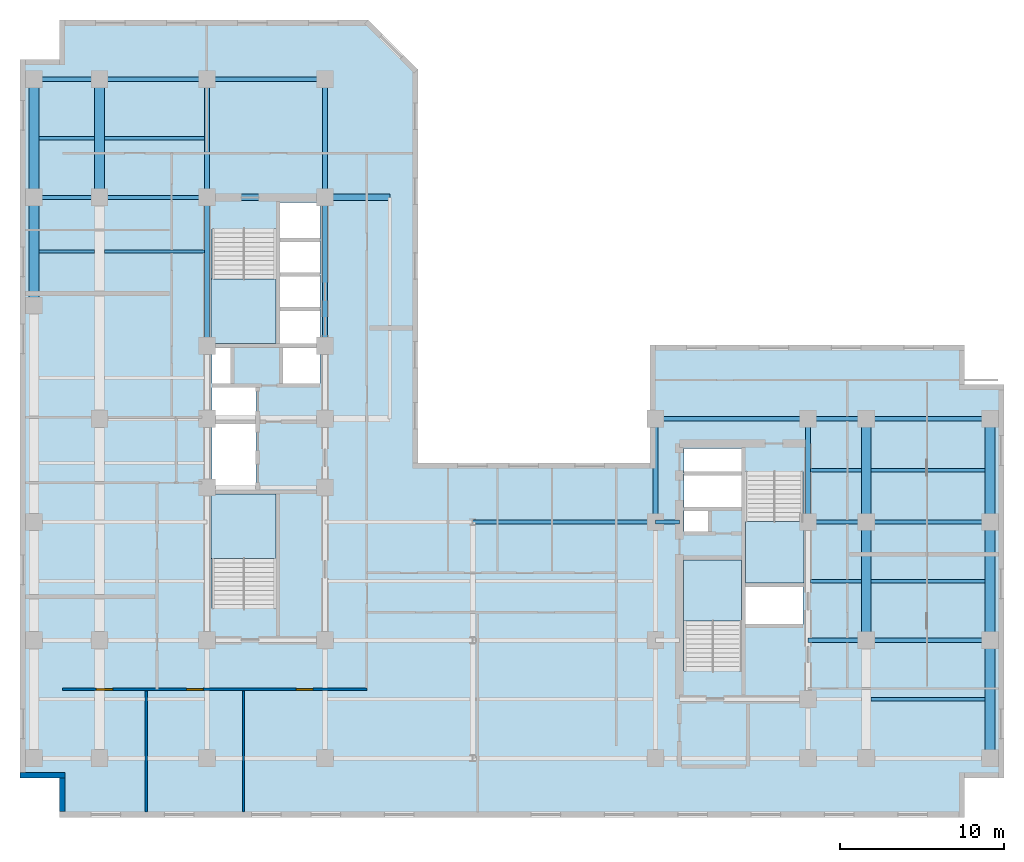
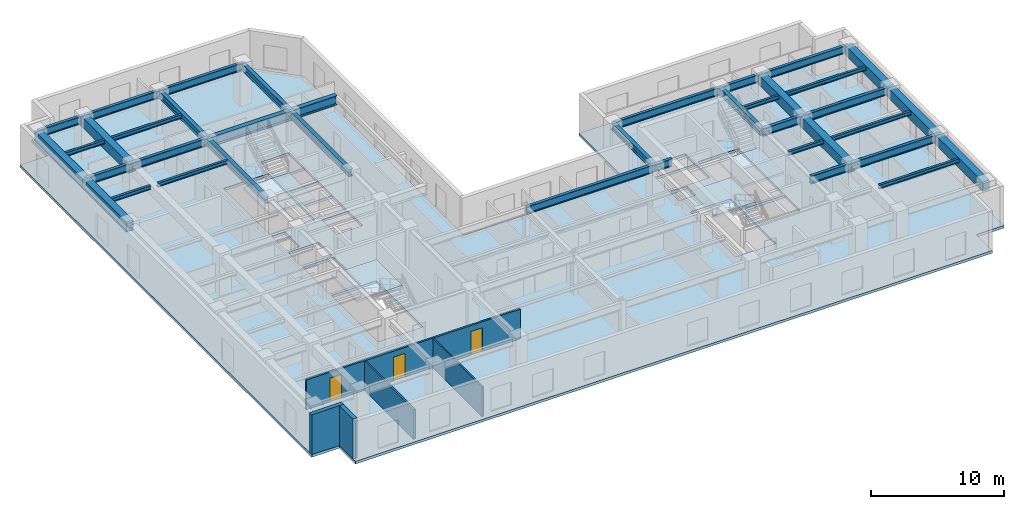
# One storey, part 2 of 10: 38 beams, 5 slabs, 5 walls, 3 doors, 3 openings, 4 elements without a shape of their own.
"""IFC4 building model written with IfcOpenShell, lengths in metres."""

from ifc_helpers import new_model, entity, si_unit, converted_unit, direction, frame, origin_with_axes, origin_2d_with_axis, place, context, subcontext, project, spatial, polyline, rectangle, i_section, outline, extrude, material, layer, layer_set, material_profile, profile_set, type_object, element, fill, aggregate, save


model = new_model("IFC4")

# Units and contexts
model_context = context("Model", 3, precision=1e-05, world=origin_with_axes(), true_north=direction((0.0, 1.0)))
body_context = subcontext(model_context, "Body", "Model", "MODEL_VIEW")
ifc_project = project(units=[si_unit("LENGTHUNIT", "METRE"), si_unit("AREAUNIT", "SQUARE_METRE"), si_unit("VOLUMEUNIT", "CUBIC_METRE"), converted_unit("PLANEANGLEUNIT", "DEGREE", entity("IfcPlaneAngleMeasure", 0.017453292519943295), si_unit("PLANEANGLEUNIT", "RADIAN"), dimensions=[0, 0, 0, 0, 0, 0, 0]), si_unit("MASSUNIT", "GRAM", prefix="KILO"), si_unit("THERMODYNAMICTEMPERATUREUNIT", "KELVIN")], contexts=[model_context])

# Site, building, storey
site_placement = place(None, origin_with_axes())
site = spatial("IfcSite", under=ifc_project, at=site_placement, CompositionType="ELEMENT")
building_placement = place(site_placement, origin_with_axes())
building = spatial("IfcBuilding", under=site, at=building_placement, Name="Varnlund Millrace Tower", CompositionType="ELEMENT")
storey_placement = place(building_placement, frame((0.0, 0.0, 168.0), z_axis=(0.0, 0.0, 1.0), x_axis=(1.0, 0.0, 0.0)))
storey = spatial("IfcBuildingStorey", under=building, at=storey_placement, Name="L41", CompositionType="ELEMENT", Elevation=168.0)

# Beams
ifc_material_1 = material(Name="Steel ASTM A992 Grade 50", Category="steel")
ifc_material_profile_1 = material_profile(ifc_material_1, i_section(OverallWidth=0.328, OverallDepth=0.628, WebThickness=0.0165, FlangeThickness=0.0277, FilletRadius=0.018, at=origin_2d_with_axis()), Name="Steel ASTM A992 Grade 50")
ifc_profile_set_1 = profile_set([ifc_material_profile_1], Name="Steel ASTM A992 Grade 50")
beam_type_1 = type_object("IfcBeamType", Name="Type-Girder-W24X146", PredefinedType="USERDEFINED", material=ifc_profile_set_1)
beam_1_placement = place(storey_placement, frame((11.4, 28.75, 3.346), z_axis=(0.0, 1.0, 0.0), x_axis=(-1.0, 0.0, 0.0)))
element("IfcBeam", 1, at=beam_1_placement, inside=storey, type_object=beam_type_1, Name="Type-Girder-W24X146", ObjectType="GIRDER", PredefinedType="USERDEFINED", context=body_context, shape_type="SweptSolid", body=[
    extrude(i_section(OverallWidth=0.328, OverallDepth=0.628, WebThickness=0.0165, FlangeThickness=0.0277, FilletRadius=0.018, at=origin_2d_with_axis()), origin_with_axes(), (0.0, 0.0, 1.0), 9.05),
])
beam_2_placement = place(storey_placement, frame((11.4, 37.8, 3.346), z_axis=(0.0, 1.0, 0.0), x_axis=(-1.0, 0.0, 0.0)))
element("IfcBeam", 2, at=beam_2_placement, inside=storey, type_object=beam_type_1, Name="Type-Girder-W24X146", ObjectType="GIRDER", PredefinedType="USERDEFINED", context=body_context, shape_type="SweptSolid", body=[
    extrude(i_section(OverallWidth=0.328, OverallDepth=0.628, WebThickness=0.0165, FlangeThickness=0.0277, FilletRadius=0.018, at=origin_2d_with_axis()), origin_with_axes(), (0.0, 0.0, 1.0), 7.2),
])
beam_3_placement = place(storey_placement, frame((18.6, 28.75, 3.346), z_axis=(0.0, 1.0, 0.0), x_axis=(-1.0, 0.0, 0.0)))
element("IfcBeam", 3, at=beam_3_placement, inside=storey, type_object=beam_type_1, Name="Type-Girder-W24X146", ObjectType="GIRDER", PredefinedType="USERDEFINED", context=body_context, shape_type="SweptSolid", body=[
    extrude(i_section(OverallWidth=0.328, OverallDepth=0.628, WebThickness=0.0165, FlangeThickness=0.0277, FilletRadius=0.018, at=origin_2d_with_axis()), origin_with_axes(), (0.0, 0.0, 1.0), 9.05),
])
beam_4_placement = place(storey_placement, frame((18.6, 37.8, 3.346), z_axis=(0.0, 1.0, 0.0), x_axis=(-1.0, 0.0, 0.0)))
element("IfcBeam", 4, at=beam_4_placement, inside=storey, type_object=beam_type_1, Name="Type-Girder-W24X146", ObjectType="GIRDER", PredefinedType="USERDEFINED", context=body_context, shape_type="SweptSolid", body=[
    extrude(i_section(OverallWidth=0.328, OverallDepth=0.628, WebThickness=0.0165, FlangeThickness=0.0277, FilletRadius=0.018, at=origin_2d_with_axis()), origin_with_axes(), (0.0, 0.0, 1.0), 7.2),
])
for number, where, z_axis, x_axis, name in (
    (5, (38.75, 18.0, 3.346), (0.0, 1.0, 0.0), (-1.0, 0.0, 0.0), "Type-Girder-W24X146"),
    (6, (48.05, 18.0, 3.346), (0.0, 1.0, 0.0), (-1.0, 0.0, 0.0), "Type-Girder-W24X146"),
):
    element("IfcBeam", number, at=place(storey_placement, frame(where, z_axis=z_axis, x_axis=x_axis)), inside=storey, type_object=beam_type_1, Name=name, ObjectType="GIRDER", PredefinedType="USERDEFINED", context=body_context, shape_type="SweptSolid", body=[
        extrude(i_section(OverallWidth=0.328, OverallDepth=0.628, WebThickness=0.0165, FlangeThickness=0.0277, FilletRadius=0.018, at=origin_2d_with_axis()), origin_with_axes(), (0.0, 0.0, 1.0), 6.3),
    ])
ifc_material_profile_2 = material_profile(ifc_material_1, i_section(OverallWidth=0.256, OverallDepth=0.693, WebThickness=0.0145, FlangeThickness=0.0236, FilletRadius=0.018, at=origin_2d_with_axis()), Name="Steel ASTM A992 Grade 50")
ifc_profile_set_2 = profile_set([ifc_material_profile_2], Name="Steel ASTM A992 Grade 50")
beam_type_2 = type_object("IfcBeamType", Name="Type-Girder-W27X114", PredefinedType="USERDEFINED", material=ifc_profile_set_2)
beam_5_placement = place(storey_placement, frame((48.05, 10.8, 3.3135), z_axis=(1.0, 0.0, 0.0), x_axis=(0.0, 1.0, 0.0)))
element("IfcBeam", 7, at=beam_5_placement, inside=storey, type_object=beam_type_2, Name="Type-Girder-W27X114", ObjectType="GIRDER", PredefinedType="USERDEFINED", context=body_context, shape_type="SweptSolid", body=[
    extrude(i_section(OverallWidth=0.256, OverallDepth=0.693, WebThickness=0.0145, FlangeThickness=0.0236, FilletRadius=0.018, at=origin_2d_with_axis()), origin_with_axes(), (0.0, 0.0, 1.0), 3.55),
])
beam_6_placement = place(storey_placement, frame((51.6, 10.8, 3.3135), z_axis=(1.0, 0.0, 0.0), x_axis=(0.0, 1.0, 0.0)))
element("IfcBeam", 8, at=beam_6_placement, inside=storey, type_object=beam_type_2, Name="Type-Girder-W27X114", ObjectType="GIRDER", PredefinedType="USERDEFINED", context=body_context, shape_type="SweptSolid", body=[
    extrude(i_section(OverallWidth=0.256, OverallDepth=0.693, WebThickness=0.0145, FlangeThickness=0.0236, FilletRadius=0.018, at=origin_2d_with_axis()), origin_with_axes(), (0.0, 0.0, 1.0), 7.55),
])
beam_7_placement = place(storey_placement, frame((27.6, 18.0, 3.3135), z_axis=(1.0, 0.0, 0.0), x_axis=(0.0, 1.0, 0.0)))
element("IfcBeam", 9, at=beam_7_placement, inside=storey, type_object=beam_type_2, Name="Type-Girder-W27X114", ObjectType="GIRDER", PredefinedType="USERDEFINED", context=body_context, shape_type="SweptSolid", body=[
    extrude(i_section(OverallWidth=0.256, OverallDepth=0.693, WebThickness=0.0145, FlangeThickness=0.0236, FilletRadius=0.018, at=origin_2d_with_axis()), origin_with_axes(), (0.0, 0.0, 1.0), 11.15),
])
beam_8_placement = place(storey_placement, frame((38.75, 18.0, 3.3135), z_axis=(1.0, 0.0, 0.0), x_axis=(0.0, 1.0, 0.0)))
element("IfcBeam", 10, at=beam_8_placement, inside=storey, type_object=beam_type_2, Name="Type-Girder-W27X114", ObjectType="GIRDER", PredefinedType="USERDEFINED", context=body_context, shape_type="SweptSolid", body=[
    extrude(i_section(OverallWidth=0.256, OverallDepth=0.693, WebThickness=0.0145, FlangeThickness=0.0236, FilletRadius=0.018, at=origin_2d_with_axis()), origin_with_axes(), (0.0, 0.0, 1.0), 1.45),
])
beam_9_placement = place(storey_placement, frame((48.05, 18.0, 3.3135), z_axis=(1.0, 0.0, 0.0), x_axis=(0.0, 1.0, 0.0)))
element("IfcBeam", 11, at=beam_9_placement, inside=storey, type_object=beam_type_2, Name="Type-Girder-W27X114", ObjectType="GIRDER", PredefinedType="USERDEFINED", context=body_context, shape_type="SweptSolid", body=[
    extrude(i_section(OverallWidth=0.256, OverallDepth=0.693, WebThickness=0.0145, FlangeThickness=0.0236, FilletRadius=0.018, at=origin_2d_with_axis()), origin_with_axes(), (0.0, 0.0, 1.0), 3.55),
])
beam_10_placement = place(storey_placement, frame((51.6, 18.0, 3.3135), z_axis=(1.0, 0.0, 0.0), x_axis=(0.0, 1.0, 0.0)))
element("IfcBeam", 12, at=beam_10_placement, inside=storey, type_object=beam_type_2, Name="Type-Girder-W27X114", ObjectType="GIRDER", PredefinedType="USERDEFINED", context=body_context, shape_type="SweptSolid", body=[
    extrude(i_section(OverallWidth=0.256, OverallDepth=0.693, WebThickness=0.0145, FlangeThickness=0.0236, FilletRadius=0.018, at=origin_2d_with_axis()), origin_with_axes(), (0.0, 0.0, 1.0), 7.55),
])
beam_11_placement = place(storey_placement, frame((38.75, 24.3, 3.3135), z_axis=(1.0, 0.0, 0.0), x_axis=(0.0, 1.0, 0.0)))
element("IfcBeam", 13, at=beam_11_placement, inside=storey, type_object=beam_type_2, Name="Type-Girder-W27X114", ObjectType="GIRDER", PredefinedType="USERDEFINED", context=body_context, shape_type="SweptSolid", body=[
    extrude(i_section(OverallWidth=0.256, OverallDepth=0.693, WebThickness=0.0145, FlangeThickness=0.0236, FilletRadius=0.018, at=origin_2d_with_axis()), origin_with_axes(), (0.0, 0.0, 1.0), 9.3),
])
beam_12_placement = place(storey_placement, frame((48.05, 24.3, 3.3135), z_axis=(1.0, 0.0, 0.0), x_axis=(0.0, 1.0, 0.0)))
element("IfcBeam", 14, at=beam_12_placement, inside=storey, type_object=beam_type_2, Name="Type-Girder-W27X114", ObjectType="GIRDER", PredefinedType="USERDEFINED", context=body_context, shape_type="SweptSolid", body=[
    extrude(i_section(OverallWidth=0.256, OverallDepth=0.693, WebThickness=0.0145, FlangeThickness=0.0236, FilletRadius=0.018, at=origin_2d_with_axis()), origin_with_axes(), (0.0, 0.0, 1.0), 3.55),
])
beam_13_placement = place(storey_placement, frame((51.6, 24.3, 3.3135), z_axis=(1.0, 0.0, 0.0), x_axis=(0.0, 1.0, 0.0)))
element("IfcBeam", 15, at=beam_13_placement, inside=storey, type_object=beam_type_2, Name="Type-Girder-W27X114", ObjectType="GIRDER", PredefinedType="USERDEFINED", context=body_context, shape_type="SweptSolid", body=[
    extrude(i_section(OverallWidth=0.256, OverallDepth=0.693, WebThickness=0.0145, FlangeThickness=0.0236, FilletRadius=0.018, at=origin_2d_with_axis()), origin_with_axes(), (0.0, 0.0, 1.0), 7.55),
])
beam_14_placement = place(storey_placement, frame((0.85, 37.8, 3.3135), z_axis=(1.0, 0.0, 0.0), x_axis=(0.0, 1.0, 0.0)))
element("IfcBeam", 16, at=beam_14_placement, inside=storey, type_object=beam_type_2, Name="Type-Girder-W27X114", ObjectType="GIRDER", PredefinedType="USERDEFINED", context=body_context, shape_type="SweptSolid", body=[
    extrude(i_section(OverallWidth=0.256, OverallDepth=0.693, WebThickness=0.0145, FlangeThickness=0.0236, FilletRadius=0.018, at=origin_2d_with_axis()), origin_with_axes(), (0.0, 0.0, 1.0), 4.0),
])
beam_15_placement = place(storey_placement, frame((4.85, 37.8, 3.3135), z_axis=(1.0, 0.0, 0.0), x_axis=(0.0, 1.0, 0.0)))
element("IfcBeam", 17, at=beam_15_placement, inside=storey, type_object=beam_type_2, Name="Type-Girder-W27X114", ObjectType="GIRDER", PredefinedType="USERDEFINED", context=body_context, shape_type="SweptSolid", body=[
    extrude(i_section(OverallWidth=0.256, OverallDepth=0.693, WebThickness=0.0145, FlangeThickness=0.0236, FilletRadius=0.018, at=origin_2d_with_axis()), origin_with_axes(), (0.0, 0.0, 1.0), 6.55),
])
beam_16_placement = place(storey_placement, frame((0.85, 45.0, 3.3135), z_axis=(1.0, 0.0, 0.0), x_axis=(0.0, 1.0, 0.0)))
element("IfcBeam", 18, at=beam_16_placement, inside=storey, type_object=beam_type_2, Name="Type-Girder-W27X114", ObjectType="GIRDER", PredefinedType="USERDEFINED", context=body_context, shape_type="SweptSolid", body=[
    extrude(i_section(OverallWidth=0.256, OverallDepth=0.693, WebThickness=0.0145, FlangeThickness=0.0236, FilletRadius=0.018, at=origin_2d_with_axis()), origin_with_axes(), (0.0, 0.0, 1.0), 4.0),
])
beam_17_placement = place(storey_placement, frame((4.85, 45.0, 3.3135), z_axis=(1.0, 0.0, 0.0), x_axis=(0.0, 1.0, 0.0)))
element("IfcBeam", 19, at=beam_17_placement, inside=storey, type_object=beam_type_2, Name="Type-Girder-W27X114", ObjectType="GIRDER", PredefinedType="USERDEFINED", context=body_context, shape_type="SweptSolid", body=[
    extrude(i_section(OverallWidth=0.256, OverallDepth=0.693, WebThickness=0.0145, FlangeThickness=0.0236, FilletRadius=0.018, at=origin_2d_with_axis()), origin_with_axes(), (0.0, 0.0, 1.0), 6.55),
])
beam_18_placement = place(storey_placement, frame((11.4, 45.0, 3.3135), z_axis=(1.0, 0.0, 0.0), x_axis=(0.0, 1.0, 0.0)))
element("IfcBeam", 20, at=beam_18_placement, inside=storey, type_object=beam_type_2, Name="Type-Girder-W27X114", ObjectType="GIRDER", PredefinedType="USERDEFINED", context=body_context, shape_type="SweptSolid", body=[
    extrude(i_section(OverallWidth=0.256, OverallDepth=0.693, WebThickness=0.0145, FlangeThickness=0.0236, FilletRadius=0.018, at=origin_2d_with_axis()), origin_with_axes(), (0.0, 0.0, 1.0), 7.2),
])
ifc_material_profile_3 = material_profile(ifc_material_1, i_section(OverallWidth=0.399, OverallDepth=0.855, WebThickness=0.0182, FlangeThickness=0.0292, FilletRadius=0.022, at=origin_2d_with_axis()), Name="Steel ASTM A992 Grade 50")
ifc_profile_set_3 = profile_set([ifc_material_profile_3], Name="Steel ASTM A992 Grade 50")
beam_type_3 = type_object("IfcBeamType", Name="Type-Girder-W33X201", PredefinedType="USERDEFINED", material=ifc_profile_set_3)
beam_19_placement = place(storey_placement, frame((11.4, 37.8, 3.2325), z_axis=(1.0, 0.0, 0.0), x_axis=(0.0, 1.0, 0.0)))
element("IfcBeam", 21, at=beam_19_placement, inside=storey, type_object=beam_type_3, Name="Type-Girder-W33X201", ObjectType="GIRDER", PredefinedType="USERDEFINED", context=body_context, shape_type="SweptSolid", body=[
    extrude(i_section(OverallWidth=0.399, OverallDepth=0.855, WebThickness=0.0182, FlangeThickness=0.0292, FilletRadius=0.022, at=origin_2d_with_axis()), origin_with_axes(), (0.0, 0.0, 1.0), 11.15),
])
ifc_material_profile_4 = material_profile(ifc_material_1, i_section(OverallWidth=0.204, OverallDepth=0.35, WebThickness=0.0086, FlangeThickness=0.0151, FilletRadius=0.013, at=origin_2d_with_axis()), Name="Steel ASTM A992 Grade 50")
ifc_profile_set_4 = profile_set([ifc_material_profile_4], Name="Steel ASTM A992 Grade 50")
beam_type_4 = type_object("IfcBeamType", Name="Type-Joist-W14X48", PredefinedType="JOIST", material=ifc_profile_set_4)
for number, where, z_axis, x_axis, name in (
    (22, (1.15, 34.5, 3.485), (1.0, 0.0, 0.0), (0.0, 1.0, 0.0), "Type-Joist-W14X48"),
    (23, (1.15, 41.4, 3.485), (1.0, 0.0, 0.0), (0.0, 1.0, 0.0), "Type-Joist-W14X48"),
):
    element("IfcBeam", number, at=place(storey_placement, frame(where, z_axis=z_axis, x_axis=x_axis)), inside=storey, type_object=beam_type_4, Name=name, PredefinedType="JOIST", context=body_context, shape_type="SweptSolid", body=[
        extrude(i_section(OverallWidth=0.204, OverallDepth=0.35, WebThickness=0.0086, FlangeThickness=0.0151, FilletRadius=0.013, at=origin_2d_with_axis()), origin_with_axes(), (0.0, 0.0, 1.0), 3.4),
    ])
for number, where, z_axis, x_axis, name in (
    (24, (5.15, 34.5, 3.485), (1.0, 0.0, 0.0), (0.0, 1.0, 0.0), "Type-Joist-W14X48"),
    (25, (5.15, 41.4, 3.485), (1.0, 0.0, 0.0), (0.0, 1.0, 0.0), "Type-Joist-W14X48"),
):
    element("IfcBeam", number, at=place(storey_placement, frame(where, z_axis=z_axis, x_axis=x_axis)), inside=storey, type_object=beam_type_4, Name=name, PredefinedType="JOIST", context=body_context, shape_type="SweptSolid", body=[
        extrude(i_section(OverallWidth=0.204, OverallDepth=0.35, WebThickness=0.0086, FlangeThickness=0.0151, FilletRadius=0.013, at=origin_2d_with_axis()), origin_with_axes(), (0.0, 0.0, 1.0), 6.086),
    ])
for number, where, z_axis, x_axis, name in (
    (26, (48.214, 14.4, 3.485), (1.0, 0.0, 0.0), (0.0, 1.0, 0.0), "Type-Joist-W14X48"),
    (27, (48.214, 21.15, 3.485), (1.0, 0.0, 0.0), (0.0, 1.0, 0.0), "Type-Joist-W14X48"),
):
    element("IfcBeam", number, at=place(storey_placement, frame(where, z_axis=z_axis, x_axis=x_axis)), inside=storey, type_object=beam_type_4, Name=name, PredefinedType="JOIST", context=body_context, shape_type="SweptSolid", body=[
        extrude(i_section(OverallWidth=0.204, OverallDepth=0.35, WebThickness=0.0086, FlangeThickness=0.0151, FilletRadius=0.013, at=origin_2d_with_axis()), origin_with_axes(), (0.0, 0.0, 1.0), 3.086),
    ])
for number, where, z_axis, x_axis, name in (
    (28, (51.9, 7.2, 3.485), (1.0, 0.0, 0.0), (0.0, 1.0, 0.0), "Type-Joist-W14X48"),
    (29, (51.9, 14.4, 3.485), (1.0, 0.0, 0.0), (0.0, 1.0, 0.0), "Type-Joist-W14X48"),
    (30, (51.9, 21.15, 3.485), (1.0, 0.0, 0.0), (0.0, 1.0, 0.0), "Type-Joist-W14X48"),
):
    element("IfcBeam", number, at=place(storey_placement, frame(where, z_axis=z_axis, x_axis=x_axis)), inside=storey, type_object=beam_type_4, Name=name, PredefinedType="JOIST", context=body_context, shape_type="SweptSolid", body=[
        extrude(i_section(OverallWidth=0.204, OverallDepth=0.35, WebThickness=0.0086, FlangeThickness=0.0151, FilletRadius=0.013, at=origin_2d_with_axis()), origin_with_axes(), (0.0, 0.0, 1.0), 6.95),
    ])
ifc_material_2 = material(Name="Concrete C70/85", Category="concrete")
ifc_material_profile_5 = material_profile(ifc_material_2, rectangle(XDim=0.6, YDim=0.9, at=origin_2d_with_axis()), Name="Concrete C70/85")
ifc_profile_set_5 = profile_set([ifc_material_profile_5], Name="Concrete C70/85")
beam_type_5 = type_object("IfcBeamType", Name="Type-Spandrel-RC600X900", PredefinedType="SPANDREL", material=ifc_profile_set_5)
beam_20_placement = place(storey_placement, frame((0.85, 31.2, 3.21), z_axis=(0.0, 1.0, 0.0), x_axis=(-1.0, 0.0, 0.0)))
element("IfcBeam", 31, at=beam_20_placement, inside=storey, type_object=beam_type_5, Name="Type-Spandrel-RC600X900", PredefinedType="SPANDREL", context=body_context, shape_type="SweptSolid", body=[
    extrude(rectangle(XDim=0.6, YDim=0.9, at=origin_2d_with_axis()), origin_with_axes(), (0.0, 0.0, 1.0), 6.6),
])
for number, where, z_axis, x_axis, name in (
    (32, (0.85, 37.8, 3.21), (0.0, 1.0, 0.0), (-1.0, 0.0, 0.0), "Type-Spandrel-RC600X900"),
    (33, (4.85, 37.8, 3.21), (0.0, 1.0, 0.0), (-1.0, 0.0, 0.0), "Type-Spandrel-RC600X900"),
    (34, (51.6, 10.8, 3.21), (0.0, 1.0, 0.0), (-1.0, 0.0, 0.0), "Type-Spandrel-RC600X900"),
):
    element("IfcBeam", number, at=place(storey_placement, frame(where, z_axis=z_axis, x_axis=x_axis)), inside=storey, type_object=beam_type_5, Name=name, PredefinedType="SPANDREL", context=body_context, shape_type="SweptSolid", body=[
        extrude(rectangle(XDim=0.6, YDim=0.9, at=origin_2d_with_axis()), origin_with_axes(), (0.0, 0.0, 1.0), 7.2),
    ])
beam_21_placement = place(storey_placement, frame((51.6, 18.0, 3.21), z_axis=(0.0, 1.0, 0.0), x_axis=(-1.0, 0.0, 0.0)))
element("IfcBeam", 35, at=beam_21_placement, inside=storey, type_object=beam_type_5, Name="Type-Spandrel-RC600X900", PredefinedType="SPANDREL", context=body_context, shape_type="SweptSolid", body=[
    extrude(rectangle(XDim=0.6, YDim=0.9, at=origin_2d_with_axis()), origin_with_axes(), (0.0, 0.0, 1.0), 6.3),
])
for number, where, z_axis, x_axis, name in (
    (36, (59.15, 3.6, 3.21), (0.0, 1.0, 0.0), (-1.0, 0.0, 0.0), "Type-Spandrel-RC600X900"),
    (37, (59.15, 10.8, 3.21), (0.0, 1.0, 0.0), (-1.0, 0.0, 0.0), "Type-Spandrel-RC600X900"),
):
    element("IfcBeam", number, at=place(storey_placement, frame(where, z_axis=z_axis, x_axis=x_axis)), inside=storey, type_object=beam_type_5, Name=name, PredefinedType="SPANDREL", context=body_context, shape_type="SweptSolid", body=[
        extrude(rectangle(XDim=0.6, YDim=0.9, at=origin_2d_with_axis()), origin_with_axes(), (0.0, 0.0, 1.0), 7.2),
    ])
beam_22_placement = place(storey_placement, frame((59.15, 18.0, 3.21), z_axis=(0.0, 1.0, 0.0), x_axis=(-1.0, 0.0, 0.0)))
element("IfcBeam", 38, at=beam_22_placement, inside=storey, type_object=beam_type_5, Name="Type-Spandrel-RC600X900", PredefinedType="SPANDREL", context=body_context, shape_type="SweptSolid", body=[
    extrude(rectangle(XDim=0.6, YDim=0.9, at=origin_2d_with_axis()), origin_with_axes(), (0.0, 0.0, 1.0), 6.3),
])

# Slab
ifc_material_3 = material(Name="Concrete C60/75", Category="concrete")
ifc_layer_1 = layer(ifc_material_3, 0.24, Name="Concrete C60/75")
ifc_layer_set_1 = layer_set([ifc_layer_1], Name="Concrete C60/75")
slab_type_1 = type_object("IfcSlabType", Name="Type-Deck-Plate-Typical-240", PredefinedType="FLOOR", material=ifc_layer_set_1)
slab_1_placement = place(storey_placement, frame((0.0, 0.0, -0.24), z_axis=(0.0, 0.0, 1.0), x_axis=(1.0, 0.0, 0.0)))
element("IfcSlab", 39, at=slab_1_placement, inside=storey, type_object=slab_type_1, Name="Type-Deck-Plate-Typical-240", PredefinedType="FLOOR", context=body_context, shape_type="SweptSolid", body=[
    extrude(outline(polyline([(24.259, 21.6), (24.259, 45.6), (21.259, 48.6), (2.4, 48.6), (2.4, 46.2), (0.0, 46.2), (0.0, 2.4), (2.4, 2.4), (2.4, 0.0), (57.6, 0.0), (57.6, 2.4), (60.0, 2.4), (60.0, 26.4), (57.6, 26.4), (57.6, 28.8), (38.4, 28.8), (38.4, 21.6), (24.259, 21.6)]), holes=[polyline([(15.6, 12.715), (11.7, 12.715), (11.7, 19.7), (15.6, 19.7), (15.6, 12.715)]), polyline([(14.38, 23.98), (14.38, 19.94), (11.7, 19.94), (11.7, 23.98), (14.38, 23.98)]), polyline([(14.38, 24.24), (11.7, 24.24), (11.7, 26.2), (14.38, 26.2), (14.38, 24.24)]), polyline([(12.84, 26.46), (11.7, 26.46), (11.7, 28.65), (12.84, 28.65), (12.84, 26.46)]), polyline([(18.3, 28.9), (15.84, 28.9), (15.84, 30.98), (18.3, 30.98), (18.3, 28.9)]), polyline([(18.3, 31.02), (15.84, 31.02), (15.84, 33.08), (18.3, 33.08), (18.3, 31.02)]), polyline([(15.6, 28.9), (11.7, 28.9), (11.7, 35.885), (15.6, 35.885), (15.6, 28.9)]), polyline([(18.3, 33.12), (15.84, 33.12), (15.84, 35.18), (18.3, 35.18), (18.3, 33.12)]), polyline([(44.0, 8.915), (40.5, 8.915), (40.5, 15.7), (44.0, 15.7), (44.0, 8.915)]), polyline([(47.75, 11.74), (44.25, 11.74), (44.25, 14.06), (47.75, 14.06), (47.75, 11.74)]), polyline([(47.75, 14.3), (44.25, 14.3), (44.25, 21.085), (47.75, 21.085), (47.75, 14.3)]), polyline([(41.95, 17.42), (40.5, 17.42), (40.5, 18.72), (41.95, 18.72), (41.95, 17.42)]), polyline([(44.0, 18.88), (40.5, 18.88), (40.5, 20.94), (44.0, 20.94), (44.0, 18.88)]), polyline([(44.0, 21.0), (40.5, 21.0), (40.5, 22.5), (44.0, 22.5), (44.0, 21.0)]), polyline([(16.04, 26.46), (16.04, 28.65), (18.3, 28.65), (18.3, 26.46), (16.04, 26.46)]), polyline([(15.84, 35.22), (15.84, 37.5), (18.3, 37.5), (18.3, 35.22), (15.84, 35.22)])]), origin_with_axes(), (0.0, 0.0, 1.0), 0.24),
])

# Stair, slab
ifc_material_4 = material(Name="Concrete C50/60", Category="concrete")
stair_type_1 = type_object("IfcStairType", Name="Type-Stair-Dogleg-185-390", PredefinedType="HALF_TURN_STAIR", material=ifc_material_4)
stair_1_placement = place(storey_placement, origin_with_axes())
stair_1 = element("IfcStair", 40, at=stair_1_placement, inside=storey, type_object=stair_type_1, Name="Type-Stair-Dogleg-185-390", PredefinedType="HALF_TURN_STAIR")
ifc_layer_2 = layer(ifc_material_4, 0.2, Name="Concrete C50/60")
ifc_layer_set_2 = layer_set([ifc_layer_2], Name="Concrete C50/60")
slab_type_2 = type_object("IfcSlabType", Name="Type-StairLanding-200", PredefinedType="LANDING", material=ifc_layer_set_2)
slab_2_placement = place(storey_placement, frame((0.0, 0.0, 1.75), z_axis=(0.0, 0.0, 1.0), x_axis=(1.0, 0.0, 0.0)))
slab_2 = element("IfcSlab", 41, at=slab_2_placement, type_object=slab_type_2, Name="ST-A1 landing 1", PredefinedType="LANDING", context=body_context, shape_type="SweptSolid", body=[
    extrude(outline(polyline([(15.6, 15.78), (15.6, 19.7), (11.65, 19.7), (11.65, 15.78), (15.6, 15.78)])), origin_with_axes(), (0.0, 0.0, 1.0), 0.2),
])
aggregate(stair_1, [slab_2])

stair_2_placement = place(storey_placement, origin_with_axes())
stair_2 = element("IfcStair", 42, at=stair_2_placement, inside=storey, type_object=stair_type_1, Name="Type-Stair-Dogleg-185-390", PredefinedType="HALF_TURN_STAIR")
slab_3_placement = place(storey_placement, frame((0.0, 0.0, 1.75), z_axis=(0.0, 0.0, 1.0), x_axis=(1.0, 0.0, 0.0)))
slab_3 = element("IfcSlab", 43, at=slab_3_placement, type_object=slab_type_2, Name="ST-A2 landing 1", PredefinedType="LANDING", context=body_context, shape_type="SweptSolid", body=[
    extrude(outline(polyline([(11.65, 32.82), (11.65, 28.9), (15.6, 28.9), (15.6, 32.82), (11.65, 32.82)])), origin_with_axes(), (0.0, 0.0, 1.0), 0.2),
])
aggregate(stair_2, [slab_3])

stair_type_2 = type_object("IfcStairType", Name="Type-Stair-Dogleg-165-390", PredefinedType="HALF_TURN_STAIR", material=ifc_material_4)
stair_3_placement = place(storey_placement, origin_with_axes())
stair_3 = element("IfcStair", 44, at=stair_3_placement, inside=storey, type_object=stair_type_2, Name="Type-Stair-Dogleg-165-390", PredefinedType="HALF_TURN_STAIR")
slab_4_placement = place(storey_placement, frame((0.0, 0.0, 1.75), z_axis=(0.0, 0.0, 1.0), x_axis=(1.0, 0.0, 0.0)))
slab_4 = element("IfcSlab", 45, at=slab_4_placement, type_object=slab_type_2, Name="ST-B1 landing 1", PredefinedType="LANDING", context=body_context, shape_type="SweptSolid", body=[
    extrude(outline(polyline([(44.0, 11.98), (44.0, 15.7), (40.45, 15.7), (40.45, 11.98), (44.0, 11.98)])), origin_with_axes(), (0.0, 0.0, 1.0), 0.2),
])
aggregate(stair_3, [slab_4])

stair_4_placement = place(storey_placement, origin_with_axes())
stair_4 = element("IfcStair", 46, at=stair_4_placement, inside=storey, type_object=stair_type_2, Name="Type-Stair-Dogleg-165-390", PredefinedType="HALF_TURN_STAIR")
slab_5_placement = place(storey_placement, frame((0.0, 0.0, 1.75), z_axis=(0.0, 0.0, 1.0), x_axis=(1.0, 0.0, 0.0)))
slab_5 = element("IfcSlab", 47, at=slab_5_placement, type_object=slab_type_2, Name="ST-B2 landing 1", PredefinedType="LANDING", context=body_context, shape_type="SweptSolid", body=[
    extrude(outline(polyline([(44.25, 18.02), (44.25, 14.3), (47.8, 14.3), (47.8, 18.02), (44.25, 18.02)])), origin_with_axes(), (0.0, 0.0, 1.0), 0.2),
])
aggregate(stair_4, [slab_5])

# Walls
ifc_material_5 = material(Name="Precast concrete C50/60", Category="concrete")
ifc_layer_3 = layer(ifc_material_5, 0.34, Name="Precast concrete C50/60")
ifc_layer_set_3 = layer_set([ifc_layer_3], Name="Precast concrete C50/60")
wall_type_1 = type_object("IfcWallType", Name="Type-ExtWall-Precast-Upper-340", PredefinedType="SOLIDWALL", material=ifc_layer_set_3)
wall_1_placement = place(storey_placement, frame((2.57, 0.34, 0.0), z_axis=(0.0, 0.0, 1.0), x_axis=(0.0, 1.0, 0.0)))
element("IfcWall", 48, at=wall_1_placement, inside=storey, type_object=wall_type_1, Name="Type-ExtWall-Precast-Upper-340", PredefinedType="SOLIDWALL", context=body_context, shape_type="SweptSolid", body=[
    extrude(outline(polyline([(0.0, -0.17), (2.06, -0.17), (2.06, 0.17), (0.0, 0.17), (0.0, -0.17)])), origin_with_axes(), (0.0, 0.0, 1.0), 3.66),
])
wall_2_placement = place(storey_placement, frame((2.74, 2.57, 0.0), z_axis=(0.0, 0.0, 1.0), x_axis=(-1.0, 0.0, 0.0)))
element("IfcWall", 49, at=wall_2_placement, inside=storey, type_object=wall_type_1, Name="Type-ExtWall-Precast-Upper-340", PredefinedType="SOLIDWALL", context=body_context, shape_type="SweptSolid", body=[
    extrude(outline(polyline([(0.0, -0.17), (2.74, -0.17), (2.74, 0.17), (0.0, 0.17), (0.0, -0.17)])), origin_with_axes(), (0.0, 0.0, 1.0), 3.66),
])

# Wall, openings, doors
ifc_material_6 = material(Name="Fire-rated gypsum board on cold-formed steel framing", Category="steel")
ifc_layer_4 = layer(ifc_material_6, 0.16, Name="Fire-rated gypsum board on cold-formed steel framing")
ifc_layer_set_4 = layer_set([ifc_layer_4], Name="Fire-rated gypsum board on cold-formed steel framing")
wall_type_2 = type_object("IfcWallType", Name="Type-Partition-Corridor-160", PredefinedType="PARTITIONING", material=ifc_layer_set_4)
wall_3_placement = place(storey_placement, frame((2.6, 7.8, 0.0), z_axis=(0.0, 0.0, 1.0), x_axis=(1.0, 0.0, 0.0)))
wall_3 = element("IfcWall", 50, at=wall_3_placement, inside=storey, type_object=wall_type_2, Name="Type-Partition-Corridor-160", PredefinedType="PARTITIONING", context=body_context, shape_type="SweptSolid", body=[
    extrude(outline(polyline([(0.0, -0.08), (18.55, -0.08), (18.55, 0.08), (0.0, 0.08), (0.0, -0.08)])), origin_with_axes(), (0.0, 0.0, 1.0), 2.7),
])
opening_1_placement = place(wall_3_placement, frame((2.551, 0.0, 0.0), z_axis=(0.0, 0.0, 1.0), x_axis=(1.0, 0.0, 0.0)))
opening_1 = element("IfcOpeningElement", 51, at=opening_1_placement, cuts=wall_3, Name="Opening L41:DR-WAS-01", PredefinedType="OPENING", context=body_context, shape_type="SweptSolid", body=[
    extrude(rectangle(XDim=1.0, YDim=0.18, at=origin_2d_with_axis()), origin_with_axes(), (0.0, 0.0, 1.0), 2.15),
])
opening_2_placement = place(wall_3_placement, frame((8.0645, 0.0, 0.0), z_axis=(0.0, 0.0, 1.0), x_axis=(1.0, 0.0, 0.0)))
opening_2 = element("IfcOpeningElement", 52, at=opening_2_placement, cuts=wall_3, Name="Opening L41:DR-WAS-02", PredefinedType="OPENING", context=body_context, shape_type="SweptSolid", body=[
    extrude(rectangle(XDim=1.0, YDim=0.18, at=origin_2d_with_axis()), origin_with_axes(), (0.0, 0.0, 1.0), 2.15),
])
opening_3_placement = place(wall_3_placement, frame((14.7585, 0.0, 0.0), z_axis=(0.0, 0.0, 1.0), x_axis=(1.0, 0.0, 0.0)))
opening_3 = element("IfcOpeningElement", 53, at=opening_3_placement, cuts=wall_3, Name="Opening L41:DR-WAS-03", PredefinedType="OPENING", context=body_context, shape_type="SweptSolid", body=[
    extrude(rectangle(XDim=1.0, YDim=0.18, at=origin_2d_with_axis()), origin_with_axes(), (0.0, 0.0, 1.0), 2.15),
])
ifc_material_7 = material(Name="Solid-core white oak and bronze frame door")
door_type = type_object("IfcDoorType", Name="Type-IntDoor-Office-1000X2150", OperationType="NOTDEFINED", PredefinedType="DOOR", material=ifc_material_7)
door_1_placement = place(wall_3_placement, frame((2.551, 0.0, 0.0), z_axis=(0.0, 0.0, 1.0), x_axis=(1.0, 0.0, 0.0)))
door_1 = element("IfcDoor", 54, at=door_1_placement, inside=storey, type_object=door_type, Name="Type-IntDoor-Office-1000X2150", OperationType="SINGLE_SWING_LEFT", OverallHeight=2.15, OverallWidth=1.0, PredefinedType="DOOR", context=body_context, shape_type="SweptSolid", body=[
    extrude(rectangle(XDim=1.0, YDim=0.09, at=origin_2d_with_axis()), origin_with_axes(), (0.0, 0.0, 1.0), 2.15),
])
fill(opening_1, door_1)
door_2_placement = place(wall_3_placement, frame((8.0645, 0.0, 0.0), z_axis=(0.0, 0.0, 1.0), x_axis=(1.0, 0.0, 0.0)))
door_2 = element("IfcDoor", 55, at=door_2_placement, inside=storey, type_object=door_type, Name="Type-IntDoor-Office-1000X2150", OperationType="SINGLE_SWING_RIGHT", OverallHeight=2.15, OverallWidth=1.0, PredefinedType="DOOR", context=body_context, shape_type="SweptSolid", body=[
    extrude(rectangle(XDim=1.0, YDim=0.09, at=origin_2d_with_axis()), origin_with_axes(), (0.0, 0.0, 1.0), 2.15),
])
fill(opening_2, door_2)
door_3_placement = place(wall_3_placement, frame((14.7585, 0.0, 0.0), z_axis=(0.0, 0.0, 1.0), x_axis=(1.0, 0.0, 0.0)))
door_3 = element("IfcDoor", 56, at=door_3_placement, inside=storey, type_object=door_type, Name="Type-IntDoor-Office-1000X2150", OperationType="SINGLE_SWING_LEFT", OverallHeight=2.15, OverallWidth=1.0, PredefinedType="DOOR", context=body_context, shape_type="SweptSolid", body=[
    extrude(rectangle(XDim=1.0, YDim=0.09, at=origin_2d_with_axis()), origin_with_axes(), (0.0, 0.0, 1.0), 2.15),
])
fill(opening_3, door_3)

# Walls
ifc_material_8 = material(Name="Acoustic STC-50 gypsum board partition", Category="gypsum")
ifc_layer_5 = layer(ifc_material_8, 0.15, Name="Acoustic STC-50 gypsum board partition")
ifc_layer_set_5 = layer_set([ifc_layer_5], Name="Acoustic STC-50 gypsum board partition")
wall_type_3 = type_object("IfcWallType", Name="Type-Partition-Demising-150", PredefinedType="PARTITIONING", material=ifc_layer_set_5)
wall_4_placement = place(storey_placement, frame((7.712, 0.335, 0.0), z_axis=(0.0, 0.0, 1.0), x_axis=(0.0, 1.0, 0.0)))
element("IfcWall", 57, at=wall_4_placement, inside=storey, type_object=wall_type_3, Name="Type-Partition-Demising-150", PredefinedType="PARTITIONING", context=body_context, shape_type="SweptSolid", body=[
    extrude(outline(polyline([(0.0, -0.075), (7.365, -0.075), (7.365, 0.075), (0.0, 0.075), (0.0, -0.075)])), origin_with_axes(), (0.0, 0.0, 1.0), 2.7),
])
ifc_material_9 = material(Name="Gypsum board tenant partition", Category="gypsum")
ifc_layer_6 = layer(ifc_material_9, 0.125, Name="Gypsum board tenant partition")
ifc_layer_set_6 = layer_set([ifc_layer_6], Name="Gypsum board tenant partition")
wall_type_4 = type_object("IfcWallType", Name="Type-Partition-Tenant-125", PredefinedType="PARTITIONING", material=ifc_layer_set_6)
wall_5_placement = place(storey_placement, frame((13.617, 0.335, 0.0), z_axis=(0.0, 0.0, 1.0), x_axis=(0.0, 1.0, 0.0)))
element("IfcWall", 58, at=wall_5_placement, inside=storey, type_object=wall_type_4, Name="Type-Partition-Tenant-125", PredefinedType="PARTITIONING", context=body_context, shape_type="SweptSolid", body=[
    extrude(outline(polyline([(0.0, -0.0625), (7.365, -0.0625), (7.365, 0.0625), (0.0, 0.0625), (0.0, -0.0625)])), origin_with_axes(), (0.0, 0.0, 1.0), 2.7),
])

save(model, "model.ifc")
